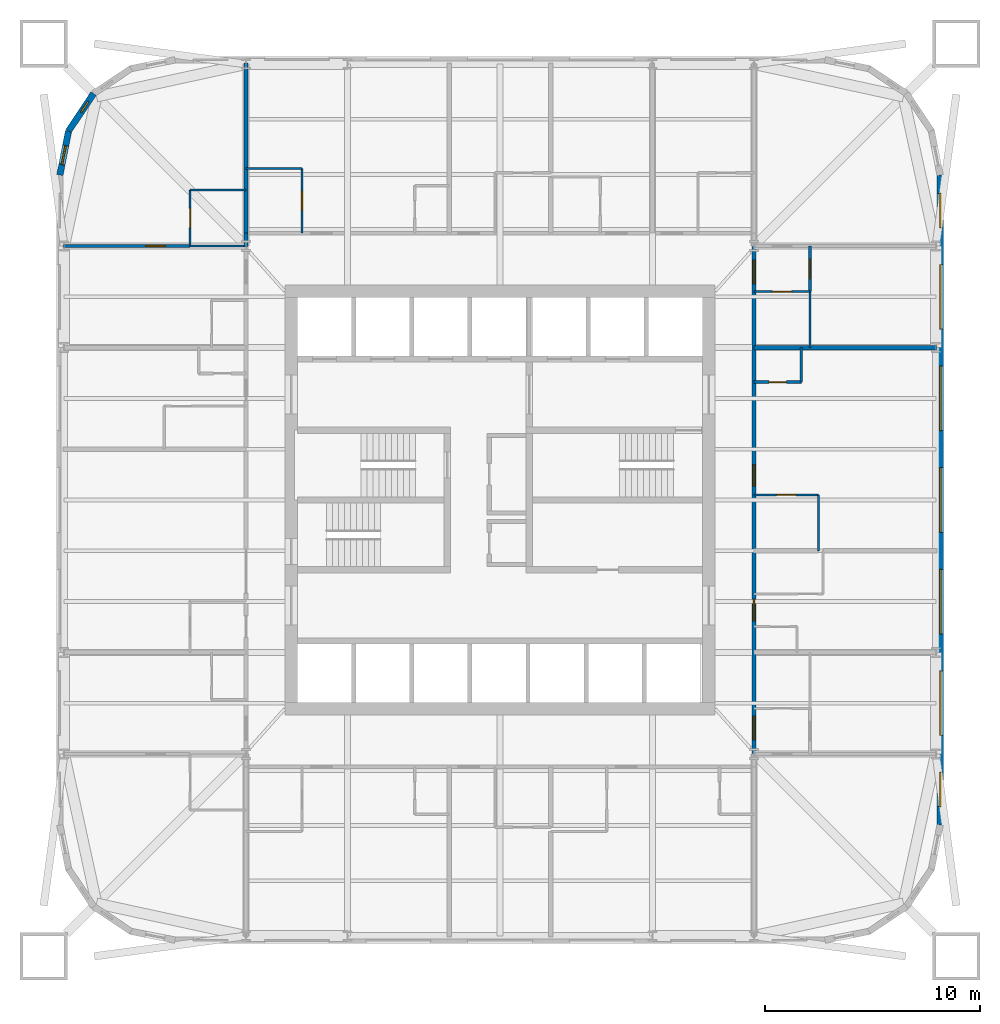
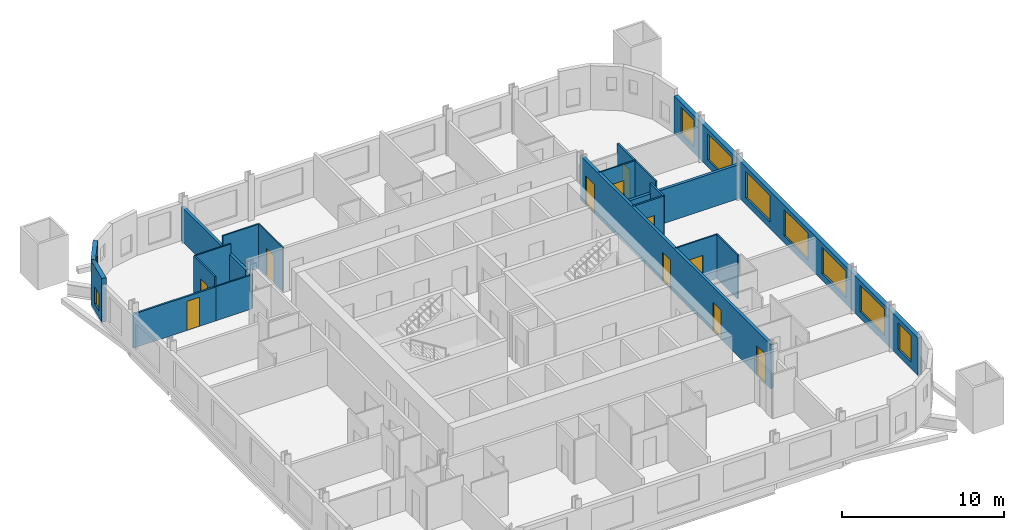
# One storey, part 6 of 9: 20 walls, 11 doors, 9 windows, 20 openings.
"""IFC4 building model written with IfcOpenShell, lengths in metres."""

from ifc_helpers import new_model, si_unit, direction, frame, frame_2d, origin, place, context, subcontext, project, spatial, rectangle, extrude, material, layer, layer_set, type_object, element, fill, save


model = new_model("IFC4")

# Units and contexts
model_context = context("Model", 3, precision=1e-05, world=origin(), true_north=direction((0.0, 1.0)))
body_context = subcontext(model_context, "Body", "Model", "MODEL_VIEW")
ifc_project = project(units=[si_unit("LENGTHUNIT", "METRE"), si_unit("AREAUNIT", "SQUARE_METRE"), si_unit("VOLUMEUNIT", "CUBIC_METRE"), si_unit("PLANEANGLEUNIT", "RADIAN"), si_unit("MASSUNIT", "GRAM", prefix="KILO")], contexts=[model_context])

# Site, building, storey
site_placement = place(None, origin())
site = spatial("IfcSite", under=ifc_project, at=site_placement, CompositionType="ELEMENT")
building_placement = place(site_placement, origin())
building = spatial("IfcBuilding", under=site, at=building_placement, Name="Turquesa Mirador Hotel Tower", CompositionType="ELEMENT")
storey_placement = place(building_placement, frame((0.0, 0.0, 96.89990234375)))
storey = spatial("IfcBuildingStorey", under=building, at=storey_placement, Name="L25", CompositionType="ELEMENT", Elevation=96.89990234375)

# Wall, opening, door
ifc_material_1 = material(Name="Gypsum board on steel studs", Category="steel")
ifc_layer_1 = layer(ifc_material_1, 0.10009765625)
ifc_layer_set_1 = layer_set([ifc_layer_1], Name="BATHROOM WALL 100")
wall_type_1 = type_object("IfcWallType", Name="BATHROOM WALL 100", PredefinedType="PARTITIONING", material=ifc_layer_set_1)
wall_1_placement = place(storey_placement, frame((66.800048828125, 45.239990234375, 0.0), z_axis=(0.0, 0.0, 1.0), x_axis=(1.0, 0.0, 0.0)))
wall_1 = element("IfcWall", 1, at=wall_1_placement, inside=storey, type_object=wall_type_1, Name="Partition L25 020", PredefinedType="PARTITIONING", context=body_context, shape_type="SweptSolid", body=[
    extrude(rectangle(XDim=3.0, YDim=0.10009765625, at=frame_2d((1.5, 0.0))), origin(), (0.0, 0.0, 1.0), 3.330078125),
])
opening_1_placement = place(wall_1_placement, frame((1.050048828125, 0.0, 0.0)))
opening_1 = element("IfcOpeningElement", 2, at=opening_1_placement, cuts=wall_1, Name="Opening D02", PredefinedType="OPENING", context=body_context, shape_type="SweptSolid", body=[
    extrude(rectangle(XDim=0.89990234375, YDim=2.10009765625, at=frame_2d((0.449951171875, 1.050048828125))), frame((0.0, 0.06005859375, 0.0), z_axis=(0.0, -1.0, 0.0), x_axis=(1.0, 0.0, 0.0)), (0.0, 0.0, 1.0), 0.1201171875),
])
ifc_material_2 = material(Name="Timber veneered door", Category="wood")
door_type_1 = type_object("IfcDoorType", Name="DOOR 900X2100 EN-SUITE", OperationType="SINGLE_SWING_RIGHT", PredefinedType="DOOR", material=ifc_material_2)
door_1_placement = place(opening_1_placement, origin())
door_1 = element("IfcDoor", 3, at=door_1_placement, inside=storey, type_object=door_type_1, Name="Door 2509B", OperationType="SINGLE_SWING_RIGHT", OverallHeight=2.10009765625, OverallWidth=0.89990234375, PredefinedType="DOOR", context=body_context, shape_type="SweptSolid", body=[
    extrude(rectangle(XDim=0.89990234375, YDim=2.10009765625, at=frame_2d((0.449951171875, 1.050048828125))), frame((0.0, 0.02490234375, 0.0), z_axis=(0.0, -1.0, 0.0), x_axis=(1.0, 0.0, 0.0)), (0.0, 0.0, 1.0), 0.050048828125),
])
fill(opening_1, door_1)

# Walls
wall_2_placement = place(storey_placement, frame((40.60009765625, 56.800048828125, 0.0), z_axis=(0.0, 0.0, 1.0), x_axis=(1.0, 0.0, 0.0)))
element("IfcWall", 4, at=wall_2_placement, inside=storey, type_object=wall_type_1, Name="Partition L25 021", PredefinedType="PARTITIONING", context=body_context, shape_type="SweptSolid", body=[
    extrude(rectangle(XDim=2.599853515625, YDim=0.10009765625, at=frame_2d((1.2998046875, 0.0))), origin(), (0.0, 0.0, 1.0), 2.5732421875),
])
wall_3_placement = place(storey_placement, frame((40.60009765625, 59.39990234375, 0.0), z_axis=(0.0, 0.0, 1.0), x_axis=(1.0, 0.0, 0.0)))
element("IfcWall", 5, at=wall_3_placement, inside=storey, type_object=wall_type_1, Name="Partition L25 025", PredefinedType="PARTITIONING", context=body_context, shape_type="SweptSolid", body=[
    extrude(rectangle(XDim=2.599853515625, YDim=0.10009765625, at=frame_2d((1.2998046875, 0.0))), origin(), (0.0, 0.0, 1.0), 3.330078125),
])
wall_4_placement = place(storey_placement, frame((43.199951171875, 60.39990234375, 0.0), z_axis=(0.0, 0.0, 1.0), x_axis=(1.0, 0.0, 0.0)))
element("IfcWall", 6, at=wall_4_placement, inside=storey, type_object=wall_type_1, Name="Partition L25 030", PredefinedType="PARTITIONING", context=body_context, shape_type="SweptSolid", body=[
    extrude(rectangle(XDim=2.60009765625, YDim=0.10009765625, at=frame_2d((1.300048828125, 0.0))), origin(), (0.0, 0.0, 1.0), 3.330078125),
])

# Wall, opening, door
wall_5_placement = place(storey_placement, frame((66.800048828125, 54.679931640625, 0.0), z_axis=(0.0, 0.0, 1.0), x_axis=(1.0, 0.0, 0.0)))
wall_5 = element("IfcWall", 7, at=wall_5_placement, inside=storey, type_object=wall_type_1, Name="Partition L25 038", PredefinedType="PARTITIONING", context=body_context, shape_type="SweptSolid", body=[
    extrude(rectangle(XDim=2.599853515625, YDim=0.10009765625, at=frame_2d((1.2998046875, 0.0))), origin(), (0.0, 0.0, 1.0), 3.330078125),
])
opening_2_placement = place(wall_5_placement, frame((0.85009765625, 0.0, 0.0)))
opening_2 = element("IfcOpeningElement", 8, at=opening_2_placement, cuts=wall_5, Name="Opening D02", PredefinedType="OPENING", context=body_context, shape_type="SweptSolid", body=[
    extrude(rectangle(XDim=0.89990234375, YDim=2.10009765625, at=frame_2d((0.449951171875, 1.050048828125))), frame((0.0, 0.06005859375, 0.0), z_axis=(0.0, -1.0, 0.0), x_axis=(1.0, 0.0, 0.0)), (0.0, 0.0, 1.0), 0.1201171875),
])
door_2_placement = place(opening_2_placement, origin())
door_2 = element("IfcDoor", 9, at=door_2_placement, inside=storey, type_object=door_type_1, Name="Door 2511B", OperationType="SINGLE_SWING_RIGHT", OverallHeight=2.10009765625, OverallWidth=0.89990234375, PredefinedType="DOOR", context=body_context, shape_type="SweptSolid", body=[
    extrude(rectangle(XDim=0.89990234375, YDim=2.10009765625, at=frame_2d((0.449951171875, 1.050048828125))), frame((0.0, 0.02490234375, 0.0), z_axis=(0.0, -1.0, 0.0), x_axis=(1.0, 0.0, 0.0)), (0.0, 0.0, 1.0), 0.050048828125),
])
fill(opening_2, door_2)

wall_6_placement = place(storey_placement, frame((40.60009765625, 56.800048828125, 0.0), z_axis=(0.0, 0.0, 1.0), x_axis=(0.0, 1.0, 0.0)))
wall_6 = element("IfcWall", 10, at=wall_6_placement, inside=storey, type_object=wall_type_1, Name="Partition L25 049", PredefinedType="PARTITIONING", context=body_context, shape_type="SweptSolid", body=[
    extrude(rectangle(XDim=2.599853515625, YDim=0.10009765625, at=frame_2d((1.2998046875, 0.0))), origin(), (0.0, 0.0, 1.0), 3.330078125),
])
opening_3_placement = place(wall_6_placement, frame((0.85009765625, 0.0, 0.0)))
opening_3 = element("IfcOpeningElement", 11, at=opening_3_placement, cuts=wall_6, Name="Opening D02", PredefinedType="OPENING", context=body_context, shape_type="SweptSolid", body=[
    extrude(rectangle(XDim=0.89990234375, YDim=2.10009765625, at=frame_2d((0.449951171875, 1.050048828125))), frame((0.0, 0.06005859375, 0.0), z_axis=(0.0, -1.0, 0.0), x_axis=(1.0, 0.0, 0.0)), (0.0, 0.0, 1.0), 0.1201171875),
])
door_3_placement = place(opening_3_placement, origin())
door_3 = element("IfcDoor", 12, at=door_3_placement, inside=storey, type_object=door_type_1, Name="Door 2512B", OperationType="SINGLE_SWING_RIGHT", OverallHeight=2.10009765625, OverallWidth=0.89990234375, PredefinedType="DOOR", context=body_context, shape_type="SweptSolid", body=[
    extrude(rectangle(XDim=0.89990234375, YDim=2.10009765625, at=frame_2d((0.449951171875, 1.050048828125))), frame((0.0, 0.02490234375, 0.0), z_axis=(0.0, -1.0, 0.0), x_axis=(1.0, 0.0, 0.0)), (0.0, 0.0, 1.0), 0.050048828125),
])
fill(opening_3, door_3)

wall_7_placement = place(storey_placement, frame((45.800048828125, 57.39990234375, 0.0), z_axis=(0.0, 0.0, 1.0), x_axis=(0.0, 1.0, 0.0)))
wall_7 = element("IfcWall", 13, at=wall_7_placement, inside=storey, type_object=wall_type_1, Name="Partition L25 056", PredefinedType="PARTITIONING", context=body_context, shape_type="SweptSolid", body=[
    extrude(rectangle(XDim=3.0, YDim=0.10009765625, at=frame_2d((1.5, 0.0))), origin(), (0.0, 0.0, 1.0), 3.330078125),
])
opening_4_placement = place(wall_7_placement, frame((1.050048828125, 0.0, 0.0)))
opening_4 = element("IfcOpeningElement", 14, at=opening_4_placement, cuts=wall_7, Name="Opening D02", PredefinedType="OPENING", context=body_context, shape_type="SweptSolid", body=[
    extrude(rectangle(XDim=0.89990234375, YDim=2.10009765625, at=frame_2d((0.449951171875, 1.050048828125))), frame((0.0, 0.06005859375, 0.0), z_axis=(0.0, -1.0, 0.0), x_axis=(1.0, 0.0, 0.0)), (0.0, 0.0, 1.0), 0.1201171875),
])
door_4_placement = place(opening_4_placement, origin())
door_4 = element("IfcDoor", 15, at=door_4_placement, inside=storey, type_object=door_type_1, Name="Door 2501B", OperationType="SINGLE_SWING_RIGHT", OverallHeight=2.10009765625, OverallWidth=0.89990234375, PredefinedType="DOOR", context=body_context, shape_type="SweptSolid", body=[
    extrude(rectangle(XDim=0.89990234375, YDim=2.10009765625, at=frame_2d((0.449951171875, 1.050048828125))), frame((0.0, 0.02490234375, 0.0), z_axis=(0.0, -1.0, 0.0), x_axis=(1.0, 0.0, 0.0)), (0.0, 0.0, 1.0), 0.050048828125),
])
fill(opening_4, door_4)

# Walls
wall_8_placement = place(storey_placement, frame((69.39990234375, 52.080078125, 0.0), z_axis=(0.0, 0.0, 1.0), x_axis=(0.0, 1.0, 0.0)))
element("IfcWall", 16, at=wall_8_placement, inside=storey, type_object=wall_type_1, Name="Partition L25 064", PredefinedType="PARTITIONING", context=body_context, shape_type="SweptSolid", body=[
    extrude(rectangle(XDim=2.599853515625, YDim=0.10009765625, at=frame_2d((1.2998046875, 0.0))), origin(), (0.0, 0.0, 1.0), 3.330078125),
])
wall_9_placement = place(storey_placement, frame((69.800048828125, 42.639892578125, 0.0), z_axis=(0.0, 0.0, 1.0), x_axis=(0.0, 1.0, 0.0)))
element("IfcWall", 17, at=wall_9_placement, inside=storey, type_object=wall_type_1, Name="Partition L25 067", PredefinedType="PARTITIONING", context=body_context, shape_type="SweptSolid", body=[
    extrude(rectangle(XDim=2.60009765625, YDim=0.10009765625, at=frame_2d((1.300048828125, 0.0))), origin(), (0.0, 0.0, 1.0), 3.330078125),
])

# Wall, openings, doors
ifc_material_3 = material(Name="Fire-rated gypsum board on steel studs", Category="steel")
ifc_layer_2 = layer(ifc_material_3, 0.199951171875)
ifc_layer_set_2 = layer_set([ifc_layer_2], Name="CORRIDOR WALL 200")
wall_type_2 = type_object("IfcWallType", Name="CORRIDOR WALL 200", PredefinedType="PARTITIONING", material=ifc_layer_set_2)
wall_10_placement = place(storey_placement, frame((66.800048828125, 33.219970703125, 0.0), z_axis=(0.0, 0.0, 1.0), x_axis=(0.0, 1.0, 0.0)))
wall_10 = element("IfcWall", 18, at=wall_10_placement, inside=storey, type_object=wall_type_2, Name="Partition L25 058", PredefinedType="PARTITIONING", context=body_context, shape_type="SweptSolid", body=[
    extrude(rectangle(XDim=23.56005859375, YDim=0.199951171875, at=frame_2d((11.780029296875, 0.0))), origin(), (0.0, 0.0, 1.0), 3.330078125),
])
opening_5_placement = place(wall_10_placement, frame((6.159912109375, 0.0, 0.0)))
opening_5 = element("IfcOpeningElement", 19, at=opening_5_placement, cuts=wall_10, Name="Opening D01", PredefinedType="OPENING", context=body_context, shape_type="SweptSolid", body=[
    extrude(rectangle(XDim=1.0, YDim=2.199951171875, at=frame_2d((0.5, 1.10009765625))), frame((0.0, 0.10986328125, 0.0), z_axis=(0.0, -1.0, 0.0), x_axis=(1.0, 0.0, 0.0)), (0.0, 0.0, 1.0), 0.219970703125),
])
opening_6_placement = place(wall_10_placement, frame((12.419921875, 0.0, 0.0)))
opening_6 = element("IfcOpeningElement", 20, at=opening_6_placement, cuts=wall_10, Name="Opening D01", PredefinedType="OPENING", context=body_context, shape_type="SweptSolid", body=[
    extrude(rectangle(XDim=1.0, YDim=2.199951171875, at=frame_2d((0.5, 1.10009765625))), frame((0.0, 0.10986328125, 0.0), z_axis=(0.0, -1.0, 0.0), x_axis=(1.0, 0.0, 0.0)), (0.0, 0.0, 1.0), 0.219970703125),
])
opening_7_placement = place(wall_10_placement, frame((21.820068359375, 0.0, 0.0)))
opening_7 = element("IfcOpeningElement", 21, at=opening_7_placement, cuts=wall_10, Name="Opening D15", PredefinedType="OPENING", context=body_context, shape_type="SweptSolid", body=[
    extrude(rectangle(XDim=1.10009765625, YDim=2.199951171875, at=frame_2d((0.550048828125, 1.10009765625))), frame((0.0, 0.10986328125, 0.0), z_axis=(0.0, -1.0, 0.0), x_axis=(1.0, 0.0, 0.0)), (0.0, 0.0, 1.0), 0.219970703125),
])
opening_8_placement = place(wall_10_placement, frame((0.639892578125, 0.0, 0.0)))
opening_8 = element("IfcOpeningElement", 22, at=opening_8_placement, cuts=wall_10, Name="Opening D15", PredefinedType="OPENING", context=body_context, shape_type="SweptSolid", body=[
    extrude(rectangle(XDim=1.10009765625, YDim=2.199951171875, at=frame_2d((0.550048828125, 1.10009765625))), frame((0.0, 0.10986328125, 0.0), z_axis=(0.0, -1.0, 0.0), x_axis=(1.0, 0.0, 0.0)), (0.0, 0.0, 1.0), 0.219970703125),
])
ifc_material_4 = material(Name="Timber veneered fire door", Category="wood")
door_type_2 = type_object("IfcDoorType", Name="DOOR 1000X2200 GUEST ENTRY", OperationType="SINGLE_SWING_LEFT", PredefinedType="DOOR", material=ifc_material_4)
door_5_placement = place(opening_5_placement, origin())
door_5 = element("IfcDoor", 23, at=door_5_placement, inside=storey, type_object=door_type_2, Name="Door 2508", OperationType="SINGLE_SWING_LEFT", OverallHeight=2.199951171875, OverallWidth=1.0, PredefinedType="DOOR", context=body_context, shape_type="SweptSolid", body=[
    extrude(rectangle(XDim=1.0, YDim=2.199951171875, at=frame_2d((0.5, 1.10009765625))), frame((0.0, 0.02490234375, 0.0), z_axis=(0.0, -1.0, 0.0), x_axis=(1.0, 0.0, 0.0)), (0.0, 0.0, 1.0), 0.050048828125),
])
fill(opening_5, door_5)
door_6_placement = place(opening_6_placement, origin())
door_6 = element("IfcDoor", 24, at=door_6_placement, inside=storey, type_object=door_type_2, Name="Door 2509", OperationType="SINGLE_SWING_LEFT", OverallHeight=2.199951171875, OverallWidth=1.0, PredefinedType="DOOR", context=body_context, shape_type="SweptSolid", body=[
    extrude(rectangle(XDim=1.0, YDim=2.199951171875, at=frame_2d((0.5, 1.10009765625))), frame((0.0, 0.02490234375, 0.0), z_axis=(0.0, -1.0, 0.0), x_axis=(1.0, 0.0, 0.0)), (0.0, 0.0, 1.0), 0.050048828125),
])
fill(opening_6, door_6)
ifc_material_5 = material(Name="Timber veneered fire door", Category="wood")
door_type_3 = type_object("IfcDoorType", Name="DOOR 1100X2200 SUITE ENTRY", OperationType="SINGLE_SWING_LEFT", PredefinedType="DOOR", material=ifc_material_5)
door_7_placement = place(opening_7_placement, origin())
door_7 = element("IfcDoor", 25, at=door_7_placement, inside=storey, type_object=door_type_3, Name="Door 2511H", OperationType="SINGLE_SWING_LEFT", OverallHeight=2.199951171875, OverallWidth=1.10009765625, PredefinedType="DOOR", context=body_context, shape_type="SweptSolid", body=[
    extrude(rectangle(XDim=1.10009765625, YDim=2.199951171875, at=frame_2d((0.550048828125, 1.10009765625))), frame((0.0, 0.02490234375, 0.0), z_axis=(0.0, -1.0, 0.0), x_axis=(1.0, 0.0, 0.0)), (0.0, 0.0, 1.0), 0.050048828125),
])
fill(opening_7, door_7)
door_8_placement = place(opening_8_placement, origin())
door_8 = element("IfcDoor", 26, at=door_8_placement, inside=storey, type_object=door_type_3, Name="Door 2514H", OperationType="SINGLE_SWING_LEFT", OverallHeight=2.199951171875, OverallWidth=1.10009765625, PredefinedType="DOOR", context=body_context, shape_type="SweptSolid", body=[
    extrude(rectangle(XDim=1.10009765625, YDim=2.199951171875, at=frame_2d((0.550048828125, 1.10009765625))), frame((0.0, 0.02490234375, 0.0), z_axis=(0.0, -1.0, 0.0), x_axis=(1.0, 0.0, 0.0)), (0.0, 0.0, 1.0), 0.050048828125),
])
fill(opening_8, door_8)

# Wall
wall_11_placement = place(storey_placement, frame((43.199951171875, 56.780029296875, 0.0), z_axis=(0.0, 0.0, 1.0), x_axis=(0.0, 1.0, 0.0)))
element("IfcWall", 27, at=wall_11_placement, inside=storey, type_object=wall_type_2, Name="Partition L25 078", PredefinedType="PARTITIONING", context=body_context, shape_type="SweptSolid", body=[
    extrude(rectangle(XDim=0.619873046875, YDim=0.199951171875, at=frame_2d((0.31005859375, 0.0))), origin(), (0.0, 0.0, 1.0), 2.5732421875),
])

# Wall, openings, windows
ifc_material_6 = material(Name="Limestone cladding on concrete block", Category="masonry")
ifc_layer_3 = layer(ifc_material_6, 0.300048828125)
ifc_layer_set_3 = layer_set([ifc_layer_3], Name="FACADE WALL 300 STONE SCREEN")
wall_type_3 = type_object("IfcWallType", Name="FACADE WALL 300 STONE SCREEN", PredefinedType="SOLIDWALL", material=ifc_layer_set_3)
wall_12_placement = place(storey_placement, frame((75.449951171875, 29.89990234375, 0.0), z_axis=(0.0, 0.0, 1.0), x_axis=(0.0, 1.0, 0.0)))
wall_12 = element("IfcWall", 28, at=wall_12_placement, inside=storey, type_object=wall_type_3, Name="Facade wall L25 04", PredefinedType="SOLIDWALL", context=body_context, shape_type="SweptSolid", body=[
    extrude(rectangle(XDim=30.2001953125, YDim=0.300048828125, at=frame_2d((15.10009765625, 0.0))), origin(), (0.0, 0.0, 1.0), 2.830078125),
])
opening_9_placement = place(wall_12_placement, frame((0.85009765625, 0.0, 0.5)))
opening_9 = element("IfcOpeningElement", 29, at=opening_9_placement, cuts=wall_12, Name="Opening WN3", PredefinedType="OPENING", context=body_context, shape_type="SweptSolid", body=[
    extrude(rectangle(XDim=1.60009765625, YDim=2.0, at=frame_2d((0.800048828125, 1.0))), frame((0.0, 0.159912109375, 0.0), z_axis=(0.0, -1.0, 0.0), x_axis=(1.0, 0.0, 0.0)), (0.0, 0.0, 1.0), 0.320068359375),
])
opening_10_placement = place(wall_12_placement, frame((4.159912109375, 0.0, 0.5)))
opening_10 = element("IfcOpeningElement", 30, at=opening_10_placement, cuts=wall_12, Name="Opening WN1", PredefinedType="OPENING", context=body_context, shape_type="SweptSolid", body=[
    extrude(rectangle(XDim=3.0, YDim=2.0, at=frame_2d((1.5, 1.0))), frame((0.0, 0.159912109375, 0.0), z_axis=(0.0, -1.0, 0.0), x_axis=(1.0, 0.0, 0.0)), (0.0, 0.0, 1.0), 0.320068359375),
])
opening_11_placement = place(wall_12_placement, frame((8.8798828125, 0.0, 0.5)))
opening_11 = element("IfcOpeningElement", 31, at=opening_11_placement, cuts=wall_12, Name="Opening WN1", PredefinedType="OPENING", context=body_context, shape_type="SweptSolid", body=[
    extrude(rectangle(XDim=3.0, YDim=2.0, at=frame_2d((1.5, 1.0))), frame((0.0, 0.159912109375, 0.0), z_axis=(0.0, -1.0, 0.0), x_axis=(1.0, 0.0, 0.0)), (0.0, 0.0, 1.0), 0.320068359375),
])
opening_12_placement = place(wall_12_placement, frame((13.60009765625, 0.0, 0.5)))
opening_12 = element("IfcOpeningElement", 32, at=opening_12_placement, cuts=wall_12, Name="Opening WN1", PredefinedType="OPENING", context=body_context, shape_type="SweptSolid", body=[
    extrude(rectangle(XDim=3.0, YDim=2.0, at=frame_2d((1.5, 1.0))), frame((0.0, 0.159912109375, 0.0), z_axis=(0.0, -1.0, 0.0), x_axis=(1.0, 0.0, 0.0)), (0.0, 0.0, 1.0), 0.320068359375),
])
opening_13_placement = place(wall_12_placement, frame((18.320068359375, 0.0, 0.5)))
opening_13 = element("IfcOpeningElement", 33, at=opening_13_placement, cuts=wall_12, Name="Opening WN1", PredefinedType="OPENING", context=body_context, shape_type="SweptSolid", body=[
    extrude(rectangle(XDim=3.0, YDim=2.0, at=frame_2d((1.5, 1.0))), frame((0.0, 0.159912109375, 0.0), z_axis=(0.0, -1.0, 0.0), x_axis=(1.0, 0.0, 0.0)), (0.0, 0.0, 1.0), 0.320068359375),
])
opening_14_placement = place(wall_12_placement, frame((23.0400390625, 0.0, 0.5)))
opening_14 = element("IfcOpeningElement", 34, at=opening_14_placement, cuts=wall_12, Name="Opening WN1", PredefinedType="OPENING", context=body_context, shape_type="SweptSolid", body=[
    extrude(rectangle(XDim=3.0, YDim=2.0, at=frame_2d((1.5, 1.0))), frame((0.0, 0.159912109375, 0.0), z_axis=(0.0, -1.0, 0.0), x_axis=(1.0, 0.0, 0.0)), (0.0, 0.0, 1.0), 0.320068359375),
])
opening_15_placement = place(wall_12_placement, frame((27.75, 0.0, 0.5)))
opening_15 = element("IfcOpeningElement", 35, at=opening_15_placement, cuts=wall_12, Name="Opening WN3", PredefinedType="OPENING", context=body_context, shape_type="SweptSolid", body=[
    extrude(rectangle(XDim=1.60009765625, YDim=2.0, at=frame_2d((0.800048828125, 1.0))), frame((0.0, 0.159912109375, 0.0), z_axis=(0.0, -1.0, 0.0), x_axis=(1.0, 0.0, 0.0)), (0.0, 0.0, 1.0), 0.320068359375),
])
ifc_material_7 = material(Name="Ceramic-fritted laminated glass", Category="glass")
window_type_1 = type_object("IfcWindowType", Name="FRITTED WINDOW 1600X2000", PartitioningType="DOUBLE_PANEL_HORIZONTAL", PredefinedType="WINDOW", material=ifc_material_7)
window_1_placement = place(opening_9_placement, origin())
window_1 = element("IfcWindow", 36, at=window_1_placement, inside=storey, type_object=window_type_1, Name="Window L25", OverallHeight=2.0, OverallWidth=1.60009765625, PartitioningType="SINGLE_PANEL", PredefinedType="WINDOW", context=body_context, shape_type="SweptSolid", body=[
    extrude(rectangle(XDim=1.60009765625, YDim=2.0, at=frame_2d((0.800048828125, 1.0))), frame((0.0, 0.030029296875, 0.0), z_axis=(0.0, -1.0, 0.0), x_axis=(1.0, 0.0, 0.0)), (0.0, 0.0, 1.0), 0.06005859375),
])
fill(opening_9, window_1)
window_2_placement = place(opening_15_placement, origin())
window_2 = element("IfcWindow", 37, at=window_2_placement, inside=storey, type_object=window_type_1, Name="Window L25", OverallHeight=2.0, OverallWidth=1.60009765625, PartitioningType="SINGLE_PANEL", PredefinedType="WINDOW", context=body_context, shape_type="SweptSolid", body=[
    extrude(rectangle(XDim=1.60009765625, YDim=2.0, at=frame_2d((0.800048828125, 1.0))), frame((0.0, 0.030029296875, 0.0), z_axis=(0.0, -1.0, 0.0), x_axis=(1.0, 0.0, 0.0)), (0.0, 0.0, 1.0), 0.06005859375),
])
fill(opening_15, window_2)
ifc_material_8 = material(Name="Ceramic-fritted laminated glass", Category="glass")
window_type_2 = type_object("IfcWindowType", Name="FRITTED WINDOW 3000X2000", PartitioningType="DOUBLE_PANEL_HORIZONTAL", PredefinedType="WINDOW", material=ifc_material_8)
window_3_placement = place(opening_10_placement, origin())
window_3 = element("IfcWindow", 38, at=window_3_placement, inside=storey, type_object=window_type_2, Name="Window L25", OverallHeight=2.0, OverallWidth=3.0, PartitioningType="SINGLE_PANEL", PredefinedType="WINDOW", context=body_context, shape_type="SweptSolid", body=[
    extrude(rectangle(XDim=3.0, YDim=2.0, at=frame_2d((1.5, 1.0))), frame((0.0, 0.030029296875, 0.0), z_axis=(0.0, -1.0, 0.0), x_axis=(1.0, 0.0, 0.0)), (0.0, 0.0, 1.0), 0.06005859375),
])
fill(opening_10, window_3)
window_4_placement = place(opening_11_placement, origin())
window_4 = element("IfcWindow", 39, at=window_4_placement, inside=storey, type_object=window_type_2, Name="Window L25", OverallHeight=2.0, OverallWidth=3.0, PartitioningType="SINGLE_PANEL", PredefinedType="WINDOW", context=body_context, shape_type="SweptSolid", body=[
    extrude(rectangle(XDim=3.0, YDim=2.0, at=frame_2d((1.5, 1.0))), frame((0.0, 0.030029296875, 0.0), z_axis=(0.0, -1.0, 0.0), x_axis=(1.0, 0.0, 0.0)), (0.0, 0.0, 1.0), 0.06005859375),
])
fill(opening_11, window_4)
window_5_placement = place(opening_12_placement, origin())
window_5 = element("IfcWindow", 40, at=window_5_placement, inside=storey, type_object=window_type_2, Name="Window L25", OverallHeight=2.0, OverallWidth=3.0, PartitioningType="SINGLE_PANEL", PredefinedType="WINDOW", context=body_context, shape_type="SweptSolid", body=[
    extrude(rectangle(XDim=3.0, YDim=2.0, at=frame_2d((1.5, 1.0))), frame((0.0, 0.030029296875, 0.0), z_axis=(0.0, -1.0, 0.0), x_axis=(1.0, 0.0, 0.0)), (0.0, 0.0, 1.0), 0.06005859375),
])
fill(opening_12, window_5)
window_6_placement = place(opening_13_placement, origin())
window_6 = element("IfcWindow", 41, at=window_6_placement, inside=storey, type_object=window_type_2, Name="Window L25", OverallHeight=2.0, OverallWidth=3.0, PartitioningType="SINGLE_PANEL", PredefinedType="WINDOW", context=body_context, shape_type="SweptSolid", body=[
    extrude(rectangle(XDim=3.0, YDim=2.0, at=frame_2d((1.5, 1.0))), frame((0.0, 0.030029296875, 0.0), z_axis=(0.0, -1.0, 0.0), x_axis=(1.0, 0.0, 0.0)), (0.0, 0.0, 1.0), 0.06005859375),
])
fill(opening_13, window_6)
window_7_placement = place(opening_14_placement, origin())
window_7 = element("IfcWindow", 42, at=window_7_placement, inside=storey, type_object=window_type_2, Name="Window L25", OverallHeight=2.0, OverallWidth=3.0, PartitioningType="SINGLE_PANEL", PredefinedType="WINDOW", context=body_context, shape_type="SweptSolid", body=[
    extrude(rectangle(XDim=3.0, YDim=2.0, at=frame_2d((1.5, 1.0))), frame((0.0, 0.030029296875, 0.0), z_axis=(0.0, -1.0, 0.0), x_axis=(1.0, 0.0, 0.0)), (0.0, 0.0, 1.0), 0.06005859375),
])
fill(opening_14, window_7)

# Wall, opening, window
wall_13_placement = place(storey_placement, frame((36.116943359375, 63.883056640625, 0.0), z_axis=(0.0, 0.0, 1.0), x_axis=(-0.555563607591, -0.831474039234, 0.0)))
wall_13 = element("IfcWall", 43, at=wall_13_placement, inside=storey, type_object=wall_type_3, Name="Facade wall L25 12", PredefinedType="SOLIDWALL", context=body_context, shape_type="SweptSolid", body=[
    extrude(rectangle(XDim=2.08740234375, YDim=0.300048828125, at=frame_2d((1.043701171875, 0.0))), origin(), (0.0, 0.0, 1.0), 3.330078125),
])
opening_16_placement = place(wall_13_placement, frame((0.443603515625, 0.0, 1.5)))
opening_16 = element("IfcOpeningElement", 44, at=opening_16_placement, cuts=wall_13, Name="Opening WN11", PredefinedType="OPENING", context=body_context, shape_type="SweptSolid", body=[
    extrude(rectangle(XDim=0.60009765625, YDim=1.0, at=frame_2d((0.300048828125, 0.5))), frame((0.0, 0.159912109375, 0.0), z_axis=(0.0, -1.0, 0.0), x_axis=(1.0, 0.0, 0.0)), (0.0, 0.0, 1.0), 0.320068359375),
])
ifc_material_9 = material(Name="Ceramic-fritted laminated glass", Category="glass")
window_type_3 = type_object("IfcWindowType", Name="FRITTED CORNER WINDOW 600X1000", PartitioningType="DOUBLE_PANEL_HORIZONTAL", PredefinedType="WINDOW", material=ifc_material_9)
window_8_placement = place(opening_16_placement, origin())
window_8 = element("IfcWindow", 45, at=window_8_placement, inside=storey, type_object=window_type_3, Name="Window L25", OverallHeight=1.0, OverallWidth=0.60009765625, PartitioningType="SINGLE_PANEL", PredefinedType="WINDOW", context=body_context, shape_type="SweptSolid", body=[
    extrude(rectangle(XDim=0.60009765625, YDim=1.0, at=frame_2d((0.300048828125, 0.5))), frame((0.0, 0.030029296875, 0.0), z_axis=(0.0, -1.0, 0.0), x_axis=(1.0, 0.0, 0.0)), (0.0, 0.0, 1.0), 0.06005859375),
])
fill(opening_16, window_8)

wall_14_placement = place(storey_placement, frame((34.957275390625, 62.1474609375, 0.0), z_axis=(0.0, 0.0, 1.0), x_axis=(-0.195081421501, -0.980787050784, 0.0)))
wall_14 = element("IfcWall", 46, at=wall_14_placement, inside=storey, type_object=wall_type_3, Name="Facade wall L25 13", PredefinedType="SOLIDWALL", context=body_context, shape_type="SweptSolid", body=[
    extrude(rectangle(XDim=2.08740234375, YDim=0.300048828125, at=frame_2d((1.043701171875, 0.0))), origin(), (0.0, 0.0, 1.0), 3.330078125),
])
opening_17_placement = place(wall_14_placement, frame((0.693603515625, 0.0, 0.5)))
opening_17 = element("IfcOpeningElement", 47, at=opening_17_placement, cuts=wall_14, Name="Opening WN21", PredefinedType="OPENING", context=body_context, shape_type="SweptSolid", body=[
    extrude(rectangle(XDim=0.89990234375, YDim=1.300048828125, at=frame_2d((0.449951171875, 0.64990234375))), frame((0.0, 0.159912109375, 0.0), z_axis=(0.0, -1.0, 0.0), x_axis=(1.0, 0.0, 0.0)), (0.0, 0.0, 1.0), 0.320068359375),
])
ifc_material_10 = material(Name="Ceramic-fritted laminated glass", Category="glass")
window_type_4 = type_object("IfcWindowType", Name="FRITTED CORNER WINDOW 900X1300", PartitioningType="DOUBLE_PANEL_HORIZONTAL", PredefinedType="WINDOW", material=ifc_material_10)
window_9_placement = place(opening_17_placement, origin())
window_9 = element("IfcWindow", 48, at=window_9_placement, inside=storey, type_object=window_type_4, Name="Window L25", OverallHeight=1.300048828125, OverallWidth=0.89990234375, PartitioningType="SINGLE_PANEL", PredefinedType="WINDOW", context=body_context, shape_type="SweptSolid", body=[
    extrude(rectangle(XDim=0.89990234375, YDim=1.300048828125, at=frame_2d((0.449951171875, 0.64990234375))), frame((0.0, 0.030029296875, 0.0), z_axis=(0.0, -1.0, 0.0), x_axis=(1.0, 0.0, 0.0)), (0.0, 0.0, 1.0), 0.06005859375),
])
fill(opening_17, window_9)

# Walls
ifc_material_11 = material(Name="Fire-rated gypsum board on steel studs", Category="steel")
ifc_layer_4 = layer(ifc_material_11, 0.199951171875)
ifc_layer_set_4 = layer_set([ifc_layer_4], Name="PARTY WALL 200")
wall_type_4 = type_object("IfcWallType", Name="PARTY WALL 200", PredefinedType="PARTITIONING", material=ifc_layer_set_4)
wall_15_placement = place(storey_placement, frame((66.800048828125, 52.080078125, 0.0), z_axis=(0.0, 0.0, 1.0), x_axis=(1.0, 0.0, 0.0)))
element("IfcWall", 49, at=wall_15_placement, inside=storey, type_object=wall_type_4, Name="Partition L25 036", PredefinedType="PARTITIONING", context=body_context, shape_type="SweptSolid", body=[
    extrude(rectangle(XDim=8.5, YDim=0.199951171875, at=frame_2d((4.25, 0.0))), origin(), (0.0, 0.0, 1.0), 2.5732421875),
])
wall_16_placement = place(storey_placement, frame((43.199951171875, 57.39990234375, 0.0), z_axis=(0.0, 0.0, 1.0), x_axis=(0.0, 1.0, 0.0)))
element("IfcWall", 50, at=wall_16_placement, inside=storey, type_object=wall_type_4, Name="Partition L25 043", PredefinedType="PARTITIONING", context=body_context, shape_type="SweptSolid", body=[
    extrude(rectangle(XDim=7.900146484375, YDim=0.199951171875, at=frame_2d((3.9501953125, 0.0))), origin(), (0.0, 0.0, 1.0), 2.5732421875),
])

# Wall, opening, door
ifc_material_12 = material(Name="Acoustic gypsum board on steel studs", Category="steel")
ifc_layer_5 = layer(ifc_material_12, 0.125)
ifc_layer_set_5 = layer_set([ifc_layer_5], Name="SUITE PARTITION 125")
wall_type_5 = type_object("IfcWallType", Name="SUITE PARTITION 125", PredefinedType="PARTITIONING", material=ifc_layer_set_5)
wall_17_placement = place(storey_placement, frame((34.699951171875, 56.800048828125, 0.0), z_axis=(0.0, 0.0, 1.0), x_axis=(1.0, 0.0, 0.0)))
wall_17 = element("IfcWall", 51, at=wall_17_placement, inside=storey, type_object=wall_type_5, Name="Partition L25 022", PredefinedType="PARTITIONING", context=body_context, shape_type="SweptSolid", body=[
    extrude(rectangle(XDim=5.900146484375, YDim=0.125, at=frame_2d((2.9501953125, 0.0))), origin(), (0.0, 0.0, 1.0), 2.5732421875),
])
opening_18_placement = place(wall_17_placement, frame((3.85009765625, 0.0, 0.0)))
opening_18 = element("IfcOpeningElement", 52, at=opening_18_placement, cuts=wall_17, Name="Opening D17", PredefinedType="OPENING", context=body_context, shape_type="SweptSolid", body=[
    extrude(rectangle(XDim=0.89990234375, YDim=2.199951171875, at=frame_2d((0.449951171875, 1.10009765625))), frame((0.0, 0.072509765625, 0.0), z_axis=(0.0, -1.0, 0.0), x_axis=(1.0, 0.0, 0.0)), (0.0, 0.0, 1.0), 0.14501953125),
])
ifc_material_13 = material(Name="Timber veneered door", Category="wood")
door_type_4 = type_object("IfcDoorType", Name="DOOR 900X2200 SUITE INTERNAL", OperationType="SINGLE_SWING_LEFT", PredefinedType="DOOR", material=ifc_material_13)
door_9_placement = place(opening_18_placement, origin())
door_9 = element("IfcDoor", 53, at=door_9_placement, inside=storey, type_object=door_type_4, Name="Door 2512R", OperationType="SINGLE_SWING_LEFT", OverallHeight=2.199951171875, OverallWidth=0.89990234375, PredefinedType="DOOR", context=body_context, shape_type="SweptSolid", body=[
    extrude(rectangle(XDim=0.89990234375, YDim=2.199951171875, at=frame_2d((0.449951171875, 1.10009765625))), frame((0.0, 0.02490234375, 0.0), z_axis=(0.0, -1.0, 0.0), x_axis=(1.0, 0.0, 0.0)), (0.0, 0.0, 1.0), 0.050048828125),
])
fill(opening_18, door_9)

wall_18_placement = place(storey_placement, frame((66.800048828125, 50.47998046875, 0.0), z_axis=(0.0, 0.0, 1.0), x_axis=(1.0, 0.0, 0.0)))
wall_18 = element("IfcWall", 54, at=wall_18_placement, inside=storey, type_object=wall_type_5, Name="Partition L25 033", PredefinedType="PARTITIONING", context=body_context, shape_type="SweptSolid", body=[
    extrude(rectangle(XDim=2.199951171875, YDim=0.125, at=frame_2d((1.10009765625, 0.0))), origin(), (0.0, 0.0, 1.0), 3.330078125),
])
opening_19_placement = place(wall_18_placement, frame((0.699951171875, 0.0, 0.0)))
opening_19 = element("IfcOpeningElement", 55, at=opening_19_placement, cuts=wall_18, Name="Opening D20", PredefinedType="OPENING", context=body_context, shape_type="SweptSolid", body=[
    extrude(rectangle(XDim=0.800048828125, YDim=2.10009765625, at=frame_2d((0.39990234375, 1.050048828125))), frame((0.0, 0.072509765625, 0.0), z_axis=(0.0, -1.0, 0.0), x_axis=(1.0, 0.0, 0.0)), (0.0, 0.0, 1.0), 0.14501953125),
])
ifc_material_14 = material(Name="Timber veneered sliding door", Category="wood")
door_type_5 = type_object("IfcDoorType", Name="DOOR 800X2100 WARDROBE", OperationType="SLIDING_TO_LEFT", PredefinedType="DOOR", material=ifc_material_14)
door_10_placement = place(opening_19_placement, origin())
door_10 = element("IfcDoor", 56, at=door_10_placement, inside=storey, type_object=door_type_5, Name="Door 2509W", OperationType="SLIDING_TO_LEFT", OverallHeight=2.10009765625, OverallWidth=0.800048828125, PredefinedType="DOOR", context=body_context, shape_type="SweptSolid", body=[
    extrude(rectangle(XDim=0.800048828125, YDim=2.10009765625, at=frame_2d((0.39990234375, 1.050048828125))), frame((0.0, 0.02490234375, 0.0), z_axis=(0.0, -1.0, 0.0), x_axis=(1.0, 0.0, 0.0)), (0.0, 0.0, 1.0), 0.050048828125),
])
fill(opening_19, door_10)

# Wall
wall_19_placement = place(storey_placement, frame((69.0, 50.47998046875, 0.0), z_axis=(0.0, 0.0, 1.0), x_axis=(0.0, 1.0, 0.0)))
element("IfcWall", 57, at=wall_19_placement, inside=storey, type_object=wall_type_5, Name="Partition L25 062", PredefinedType="PARTITIONING", context=body_context, shape_type="SweptSolid", body=[
    extrude(rectangle(XDim=1.60009765625, YDim=0.125, at=frame_2d((0.800048828125, 0.0))), origin(), (0.0, 0.0, 1.0), 3.330078125),
])

# Wall, opening, door
wall_20_placement = place(storey_placement, frame((69.39990234375, 54.679931640625, 0.0), z_axis=(0.0, 0.0, 1.0), x_axis=(0.0, 1.0, 0.0)))
wall_20 = element("IfcWall", 58, at=wall_20_placement, inside=storey, type_object=wall_type_5, Name="Partition L25 066", PredefinedType="PARTITIONING", context=body_context, shape_type="SweptSolid", body=[
    extrude(rectangle(XDim=2.1201171875, YDim=0.125, at=frame_2d((1.06005859375, 0.0))), origin(), (0.0, 0.0, 1.0), 3.330078125),
])
opening_20_placement = place(wall_20_placement, frame((0.610107421875, 0.0, 0.0)))
opening_20 = element("IfcOpeningElement", 59, at=opening_20_placement, cuts=wall_20, Name="Opening D17", PredefinedType="OPENING", context=body_context, shape_type="SweptSolid", body=[
    extrude(rectangle(XDim=0.89990234375, YDim=2.199951171875, at=frame_2d((0.449951171875, 1.10009765625))), frame((0.0, 0.072509765625, 0.0), z_axis=(0.0, -1.0, 0.0), x_axis=(1.0, 0.0, 0.0)), (0.0, 0.0, 1.0), 0.14501953125),
])
door_11_placement = place(opening_20_placement, origin())
door_11 = element("IfcDoor", 60, at=door_11_placement, inside=storey, type_object=door_type_4, Name="Door 2511R", OperationType="SINGLE_SWING_LEFT", OverallHeight=2.199951171875, OverallWidth=0.89990234375, PredefinedType="DOOR", context=body_context, shape_type="SweptSolid", body=[
    extrude(rectangle(XDim=0.89990234375, YDim=2.199951171875, at=frame_2d((0.449951171875, 1.10009765625))), frame((0.0, 0.02490234375, 0.0), z_axis=(0.0, -1.0, 0.0), x_axis=(1.0, 0.0, 0.0)), (0.0, 0.0, 1.0), 0.050048828125),
])
fill(opening_20, door_11)

save(model, "model.ifc")
